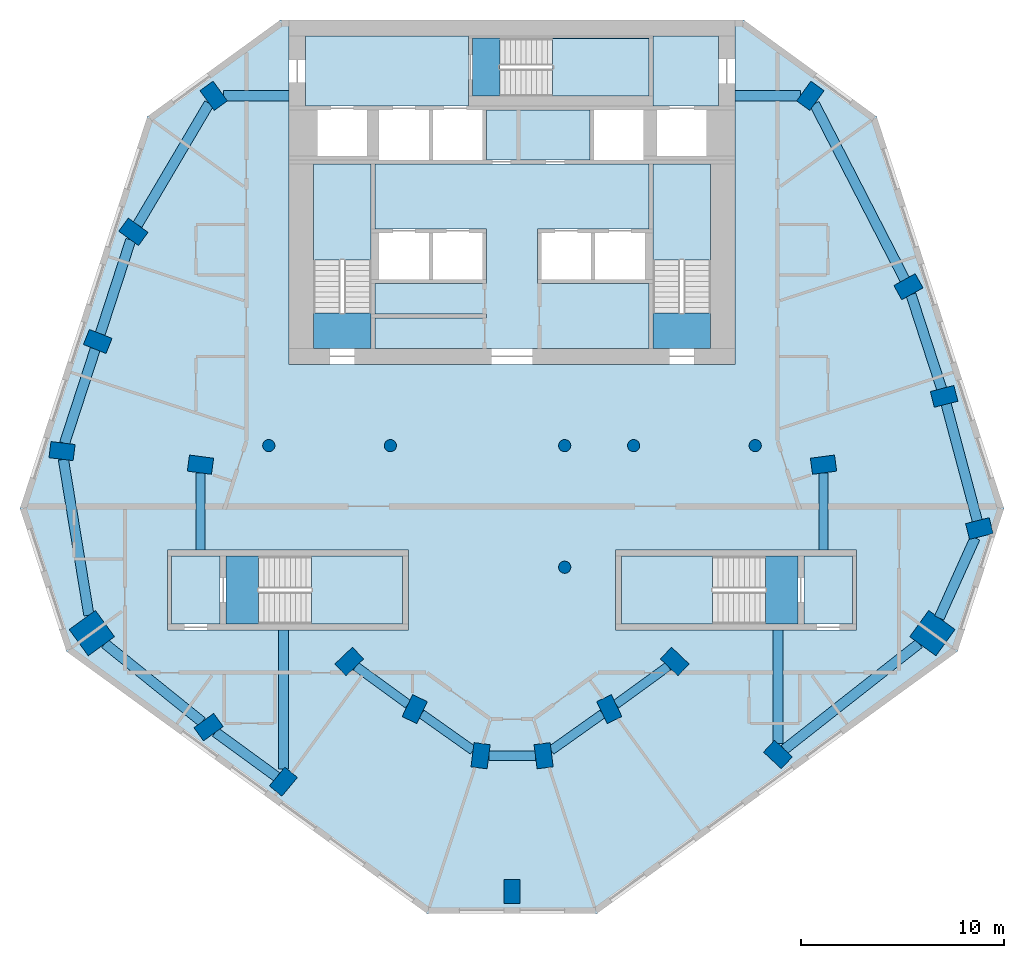
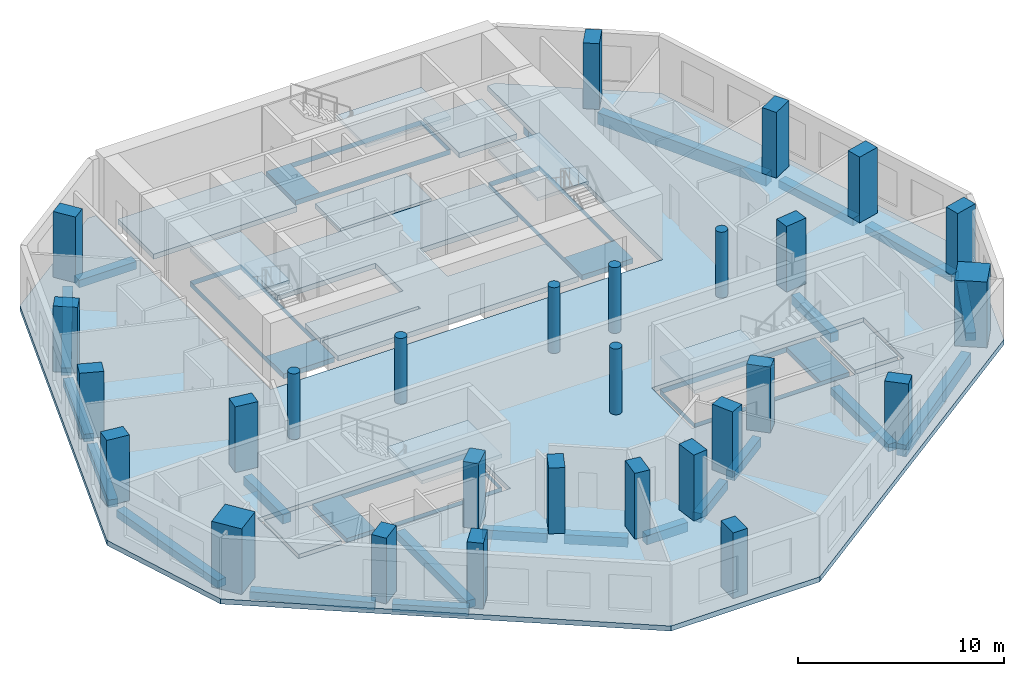
# One storey, part 1 of 9: 28 columns, 22 beams, 17 slabs, 5 elements without a shape of their own.
"""IFC4 building model written with IfcOpenShell, lengths in metres."""

from ifc_helpers import new_model, si_unit, direction, frame, origin, origin_2d, place, context, subcontext, project, spatial, polyline, rectangle, circle, outline, extrude, material, layer, layer_set, material_profile, profile_set, type_object, element, aggregate, save


model = new_model("IFC4")

# Units and contexts
model_context = context("Model", 3, precision=1e-05, world=origin(), true_north=direction((0.0, 1.0)))
body_context = subcontext(model_context, "Body", "Model", "MODEL_VIEW")
ifc_project = project(units=[si_unit("LENGTHUNIT", "METRE"), si_unit("AREAUNIT", "SQUARE_METRE"), si_unit("VOLUMEUNIT", "CUBIC_METRE"), si_unit("PLANEANGLEUNIT", "RADIAN"), si_unit("MASSUNIT", "GRAM", prefix="KILO")], contexts=[model_context])

# Site, building, storey
site_placement = place(None, origin())
site = spatial("IfcSite", under=ifc_project, at=site_placement, CompositionType="ELEMENT")
building_placement = place(site_placement, origin())
building = spatial("IfcBuilding", under=site, at=building_placement, Name="White Candle Pilgrim Tower", CompositionType="ELEMENT")
storey_placement = place(building_placement, frame((0.0, 0.0, 239.39990234375)))
storey = spatial("IfcBuildingStorey", under=building, at=storey_placement, Name="L56", CompositionType="ELEMENT", Elevation=239.39990234375)

# Columns
ifc_material_1 = material(Name="Concrete C70/85", Category="concrete")
ifc_material_profile_1 = material_profile(ifc_material_1, circle(Radius=0.300048828125, at=origin_2d()), Name="RC-COL D600")
ifc_profile_set_1 = profile_set([ifc_material_profile_1], Name="Concrete C70/85")
column_type_1 = type_object("IfcColumnType", Name="Interior column RC-COL D600 C70/85", PredefinedType="COLUMN", material=ifc_profile_set_1)
for number, where, z_axis, x_axis, name in (
    (1, (58.0, 67.0, 0.0), (0.0, 0.0, 1.0), (1.0, 0.0, 0.0), "L56 column I01"),
    (2, (64.0, 67.0, 0.0), (0.0, 0.0, 1.0), (1.0, 0.0, 0.0), "L56 column I02"),
    (3, (72.60009765625, 61.0, 0.0), (0.0, 0.0, 1.0), (1.0, 0.0, 0.0), "L56 column I03"),
    (4, (72.60009765625, 67.0, 0.0), (0.0, 0.0, 1.0), (1.0, 0.0, 0.0), "L56 column I04"),
    (5, (76.0, 67.0, 0.0), (0.0, 0.0, 1.0), (1.0, 0.0, 0.0), "L56 column I05"),
    (6, (82.0, 67.0, 0.0), (0.0, 0.0, 1.0), (1.0, 0.0, 0.0), "L56 column I06"),
):
    element("IfcColumn", number, at=place(storey_placement, frame(where, z_axis=z_axis, x_axis=x_axis)), inside=storey, type_object=column_type_1, Name=name, PredefinedType="COLUMN", context=body_context, shape_type="SweptSolid", body=[
        extrude(circle(Radius=0.300048828125, at=origin_2d()), origin(), (0.0, 0.0, 1.0), 3.900146484375),
    ])
ifc_material_profile_2 = material_profile(ifc_material_1, rectangle(XDim=1.60009765625, YDim=1.60009765625, at=origin_2d()), Name="RC 1600x1600")
ifc_profile_set_2 = profile_set([ifc_material_profile_2], Name="Concrete C70/85")
column_type_2 = type_object("IfcColumnType", Name="Mega column RC 1600x1600 C70/85", PredefinedType="COLUMN", material=ifc_profile_set_2)
for number, where, z_axis, x_axis, name in (
    (7, (49.27001953125, 57.75, 0.0), (0.0, 0.0, 1.0), (-0.809016994375, -0.587785252292, 0.0), "L56 mega column T01"),
    (8, (90.739990234375, 57.75, 0.0), (0.0, 0.0, 1.0), (0.809016994375, -0.587785252292, 0.0), "L56 mega column T06"),
):
    element("IfcColumn", number, at=place(storey_placement, frame(where, z_axis=z_axis, x_axis=x_axis)), inside=storey, type_object=column_type_2, Name=name, PredefinedType="COLUMN", context=body_context, shape_type="SweptSolid", body=[
        extrude(rectangle(XDim=1.60009765625, YDim=1.60009765625, at=origin_2d()), origin(), (0.0, 0.0, 1.0), 3.900146484375),
    ])
ifc_material_profile_3 = material_profile(ifc_material_1, rectangle(XDim=0.800048828125, YDim=1.199951171875, at=origin_2d()), Name="RC-PR 800x1200")
ifc_profile_set_3 = profile_set([ifc_material_profile_3], Name="Concrete C70/85")
column_type_3 = type_object("IfcColumnType", Name="Perimeter column RC-PR 800x1200 C70/85", PredefinedType="COLUMN", material=ifc_profile_set_3)
for number, where, z_axis, x_axis, name in (
    (9, (55.030029296875, 53.110107421875, 0.0), (0.0, 0.0, 1.0), (-0.58846280644, 0.808524288711, 0.0), "L56 column T02"),
    (10, (58.719970703125, 50.419921875, 0.0), (0.0, 0.0, 1.0), (-0.769310358735, 0.638875239733, 0.0), "L56 column T03"),
    (11, (70.0, 45.0, 0.0), (0.0, 0.0, 1.0), (-1.0, 0.0, 0.0), "L56 column T04"),
    (12, (83.1201171875, 51.760009765625, 0.0), (0.0, 0.0, 1.0), (-0.681998360062, -0.731353701619, 0.0), "L56 column T05"),
    (13, (93.06005859375, 62.909912109375, 0.0), (0.0, 0.0, 1.0), (0.246880623275, -0.969045900797, 0.0), "L56 column T07"),
    (14, (91.320068359375, 69.429931640625, 0.0), (0.0, 0.0, 1.0), (0.246880623275, -0.969045900797, 0.0), "L56 column T08"),
    (15, (89.56005859375, 74.840087890625, 0.0), (0.0, 0.0, 1.0), (0.484809620246, -0.874619707139, 0.0), "L56 column T09"),
    (16, (84.719970703125, 84.260009765625, 0.0), (0.0, 0.0, 1.0), (0.80902725304, -0.587771132193, 0.0), "L56 column T10"),
    (17, (55.280029296875, 84.260009765625, 0.0), (0.0, 0.0, 1.0), (0.80902725304, 0.587771132193, 0.0), "L56 column T11"),
    (18, (51.320068359375, 77.550048828125, 0.0), (0.0, 0.0, 1.0), (0.587107285614, 0.809509132239, 0.0), "L56 column T12"),
    (19, (49.56005859375, 72.139892578125, 0.0), (0.0, 0.0, 1.0), (0.369860269472, 0.929087391512, 0.0), "L56 column T13"),
    (20, (47.800048828125, 66.72998046875, 0.0), (0.0, 0.0, 1.0), (0.121869343405, 0.992546151641, 0.0), "L56 column T14"),
):
    element("IfcColumn", number, at=place(storey_placement, frame(where, z_axis=z_axis, x_axis=x_axis)), inside=storey, type_object=column_type_3, Name=name, PredefinedType="COLUMN", context=body_context, shape_type="SweptSolid", body=[
        extrude(rectangle(XDim=0.800048828125, YDim=1.199951171875, at=origin_2d()), origin(), (0.0, 0.0, 1.0), 3.900146484375),
    ])
ifc_material_profile_4 = material_profile(ifc_material_1, rectangle(XDim=0.800048828125, YDim=1.199951171875, at=origin_2d()), Name="RC-PR 800x1200")
ifc_profile_set_4 = profile_set([ifc_material_profile_4], Name="Concrete C70/85")
column_type_4 = type_object("IfcColumnType", Name="Ring column RC-PR 800x1200 C70/85", PredefinedType="COLUMN", material=ifc_profile_set_4)
for number, where, z_axis, x_axis, name in (
    (21, (61.969970703125, 56.35009765625, 0.0), (0.0, 0.0, 1.0), (-0.689872285383, 0.723931094691, 0.0), "L56 column R01"),
    (22, (65.199951171875, 54.0, 0.0), (0.0, 0.0, 1.0), (-0.901689191761, 0.43238478403, 0.0), "L56 column R02"),
    (23, (68.449951171875, 51.699951171875, 0.0), (0.0, 0.0, 1.0), (-0.992092811428, 0.125506388335, 0.0), "L56 column R03"),
    (24, (71.56005859375, 51.699951171875, 0.0), (0.0, 0.0, 1.0), (-0.992092811428, -0.125506388335, 0.0), "L56 column R04"),
    (25, (74.800048828125, 54.0, 0.0), (0.0, 0.0, 1.0), (-0.901689191761, -0.43238478403, 0.0), "L56 column R05"),
    (26, (78.030029296875, 56.35009765625, 0.0), (0.0, 0.0, 1.0), (-0.689872285383, -0.723931094691, 0.0), "L56 column R06"),
    (27, (85.3701171875, 66.06005859375, 0.0), (0.0, 0.0, 1.0), (0.132602381688, -0.991169313675, 0.0), "L56 column R07"),
    (28, (54.6298828125, 66.06005859375, 0.0), (0.0, 0.0, 1.0), (0.132602381688, 0.991169313675, 0.0), "L56 column R08"),
):
    element("IfcColumn", number, at=place(storey_placement, frame(where, z_axis=z_axis, x_axis=x_axis)), inside=storey, type_object=column_type_4, Name=name, PredefinedType="COLUMN", context=body_context, shape_type="SweptSolid", body=[
        extrude(rectangle(XDim=0.800048828125, YDim=1.199951171875, at=origin_2d()), origin(), (0.0, 0.0, 1.0), 3.900146484375),
    ])

# Beams
ifc_material_2 = material(Name="Concrete C50/60", Category="concrete")
ifc_material_profile_5 = material_profile(ifc_material_2, rectangle(XDim=0.449951171875, YDim=0.550048828125, at=origin_2d()), Name="RC-BM 450x550")
ifc_profile_set_5 = profile_set([ifc_material_profile_5], Name="Concrete C50/60")
beam_type_1 = type_object("IfcBeamType", Name="Ring beam RC-BM 450x550 C50/60", PredefinedType="BEAM", material=ifc_profile_set_5)
beam_1_placement = place(storey_placement, frame((62.298828125, 56.11083984375, -0.574951171875), z_axis=(0.808609951168, -0.588345091653, 0.0), x_axis=(0.588345091653, 0.808609951168, 0.0)))
element("IfcBeam", 29, at=beam_1_placement, inside=storey, type_object=beam_type_1, Name="L56 ring beam R01", PredefinedType="BEAM", context=body_context, shape_type="SweptSolid", body=[
    extrude(rectangle(XDim=0.449951171875, YDim=0.550048828125, at=origin_2d()), origin(), (0.0, 0.0, 1.0), 3.18115234375),
])
beam_2_placement = place(storey_placement, frame((65.53125, 53.765625, -0.574951171875), z_axis=(0.816256463166, -0.577689697277, 0.0), x_axis=(0.577689697277, 0.816256463166, 0.0)))
element("IfcBeam", 30, at=beam_2_placement, inside=storey, type_object=beam_type_1, Name="L56 ring beam R02", PredefinedType="BEAM", context=body_context, shape_type="SweptSolid", body=[
    extrude(rectangle(XDim=0.449951171875, YDim=0.550048828125, at=origin_2d()), origin(), (0.0, 0.0, 1.0), 3.122314453125),
])
beam_3_placement = place(storey_placement, frame((68.853271484375, 51.699951171875, -0.574951171875), z_axis=(1.0, 0.0, 0.0), x_axis=(0.0, 1.0, 0.0)))
element("IfcBeam", 31, at=beam_3_placement, inside=storey, type_object=beam_type_1, Name="L56 ring beam R03", PredefinedType="BEAM", context=body_context, shape_type="SweptSolid", body=[
    extrude(rectangle(XDim=0.449951171875, YDim=0.550048828125, at=origin_2d()), origin(), (0.0, 0.0, 1.0), 2.303466796875),
])
beam_4_placement = place(storey_placement, frame((71.929931640625, 51.962646484375, -0.574951171875), z_axis=(0.815419993855, 0.578869789868, 0.0), x_axis=(-0.578869789868, 0.815419993855, 0.0)))
element("IfcBeam", 32, at=beam_4_placement, inside=storey, type_object=beam_type_1, Name="L56 ring beam R04", PredefinedType="BEAM", context=body_context, shape_type="SweptSolid", body=[
    extrude(rectangle(XDim=0.449951171875, YDim=0.550048828125, at=origin_2d()), origin(), (0.0, 0.0, 1.0), 3.11376953125),
])
beam_5_placement = place(storey_placement, frame((75.12890625, 54.2392578125, -0.574951171875), z_axis=(0.808609951168, 0.588345091653, 0.0), x_axis=(-0.588345091653, 0.808609951168, 0.0)))
element("IfcBeam", 33, at=beam_5_placement, inside=storey, type_object=beam_type_1, Name="L56 ring beam R05", PredefinedType="BEAM", context=body_context, shape_type="SweptSolid", body=[
    extrude(rectangle(XDim=0.449951171875, YDim=0.550048828125, at=origin_2d()), origin(), (0.0, 0.0, 1.0), 3.18115234375),
])
for number, where, z_axis, x_axis, name in (
    (34, (85.3701171875, 65.656494140625, -0.574951171875), (0.0, -1.0, 0.0), (1.0, 0.0, 0.0), "L56 ring beam R06"),
    (35, (54.6298828125, 65.656494140625, -0.574951171875), (0.0, -1.0, 0.0), (1.0, 0.0, 0.0), "L56 ring beam R07"),
):
    element("IfcBeam", number, at=place(storey_placement, frame(where, z_axis=z_axis, x_axis=x_axis)), inside=storey, type_object=beam_type_1, Name=name, PredefinedType="BEAM", context=body_context, shape_type="SweptSolid", body=[
        extrude(rectangle(XDim=0.449951171875, YDim=0.550048828125, at=origin_2d()), origin(), (0.0, 0.0, 1.0), 3.806396484375),
    ])
ifc_material_profile_6 = material_profile(ifc_material_2, rectangle(XDim=0.5, YDim=0.449951171875, at=origin_2d()), Name="RC-BM 500x450")
ifc_profile_set_6 = profile_set([ifc_material_profile_6], Name="Concrete C50/60")
beam_type_2 = type_object("IfcBeamType", Name="Spandrel beam RC-BM 500x450 C50/60", PredefinedType="BEAM", material=ifc_profile_set_6)
beam_6_placement = place(storey_placement, frame((49.915283203125, 57.22998046875, -0.52490234375), z_axis=(0.778778136726, -0.62729946099, 0.0), x_axis=(0.62729946099, 0.778778136726, 0.0)))
element("IfcBeam", 36, at=beam_6_placement, inside=storey, type_object=beam_type_2, Name="L56 spandrel beam T01", PredefinedType="BEAM", context=body_context, shape_type="SweptSolid", body=[
    extrude(rectangle(XDim=0.5, YDim=0.449951171875, at=origin_2d()), origin(), (0.0, 0.0, 1.0), 6.153564453125),
])
beam_7_placement = place(storey_placement, frame((55.36962890625, 52.8623046875, -0.52490234375), z_axis=(0.808061834145, -0.58909767628, 0.0), x_axis=(0.58909767628, 0.808061834145, 0.0)))
element("IfcBeam", 37, at=beam_7_placement, inside=storey, type_object=beam_type_2, Name="L56 spandrel beam T02", PredefinedType="BEAM", context=body_context, shape_type="SweptSolid", body=[
    extrude(rectangle(XDim=0.5, YDim=0.449951171875, at=origin_2d()), origin(), (0.0, 0.0, 1.0), 3.7451171875),
])
beam_8_placement = place(storey_placement, frame((58.719970703125, 51.046142578125, -0.52490234375), z_axis=(0.0, 1.0, 0.0), x_axis=(-1.0, 0.0, 0.0)))
element("IfcBeam", 38, at=beam_8_placement, inside=storey, type_object=beam_type_2, Name="L56 spandrel beam T03", PredefinedType="BEAM", context=body_context, shape_type="SweptSolid", body=[
    extrude(rectangle(XDim=0.5, YDim=0.449951171875, at=origin_2d()), origin(), (0.0, 0.0, 1.0), 6.853759765625),
])
beam_9_placement = place(storey_placement, frame((83.1201171875, 52.306884765625, -0.52490234375), z_axis=(0.0, 1.0, 0.0), x_axis=(-1.0, 0.0, 0.0)))
element("IfcBeam", 39, at=beam_9_placement, inside=storey, type_object=beam_type_2, Name="L56 spandrel beam T04", PredefinedType="BEAM", context=body_context, shape_type="SweptSolid", body=[
    extrude(rectangle(XDim=0.5, YDim=0.449951171875, at=origin_2d()), origin(), (0.0, 0.0, 1.0), 5.593017578125),
])
beam_10_placement = place(storey_placement, frame((91.0751953125, 58.495361328125, -0.52490234375), z_axis=(0.410043403319, 0.912066010437, 0.0), x_axis=(-0.912066010437, 0.410043403319, 0.0)))
element("IfcBeam", 40, at=beam_10_placement, inside=storey, type_object=beam_type_2, Name="L56 spandrel beam T06", PredefinedType="BEAM", context=body_context, shape_type="SweptSolid", body=[
    extrude(rectangle(XDim=0.5, YDim=0.449951171875, at=origin_2d()), origin(), (0.0, 0.0, 1.0), 4.3291015625),
])
beam_11_placement = place(storey_placement, frame((92.956787109375, 63.29638671875, -0.52490234375), z_axis=(-0.257841470678, 0.966187236512, 0.0), x_axis=(-0.966187236512, -0.257841470678, 0.0)))
element("IfcBeam", 41, at=beam_11_placement, inside=storey, type_object=beam_type_2, Name="L56 spandrel beam T07", PredefinedType="BEAM", context=body_context, shape_type="SweptSolid", body=[
    extrude(rectangle(XDim=0.5, YDim=0.449951171875, at=origin_2d()), origin(), (0.0, 0.0, 1.0), 5.9482421875),
])
beam_12_placement = place(storey_placement, frame((91.196044921875, 69.811279296875, -0.52490234375), z_axis=(-0.309391453236, 0.950934765725, 0.0), x_axis=(-0.950934765725, -0.309391453236, 0.0)))
element("IfcBeam", 42, at=beam_12_placement, inside=storey, type_object=beam_type_2, Name="L56 spandrel beam T08", PredefinedType="BEAM", context=body_context, shape_type="SweptSolid", body=[
    extrude(rectangle(XDim=0.5, YDim=0.449951171875, at=origin_2d()), origin(), (0.0, 0.0, 1.0), 4.880615234375),
])
for number, where, z_axis, x_axis, name in (
    (43, (84.2255859375, 84.260009765625, -0.52490234375), (-1.0, 0.0, 0.0), (0.0, -1.0, 0.0), "L56 spandrel beam T10"),
    (44, (55.7744140625, 84.260009765625, -0.52490234375), (1.0, 0.0, 0.0), (0.0, 1.0, 0.0), "L56 spandrel beam T11"),
):
    element("IfcBeam", number, at=place(storey_placement, frame(where, z_axis=z_axis, x_axis=x_axis)), inside=storey, type_object=beam_type_2, Name=name, PredefinedType="BEAM", context=body_context, shape_type="SweptSolid", body=[
        extrude(rectangle(XDim=0.5, YDim=0.449951171875, at=origin_2d()), origin(), (0.0, 0.0, 1.0), 3.2255859375),
    ])
beam_13_placement = place(storey_placement, frame((55.058349609375, 83.884521484375, -0.52490234375), z_axis=(-0.508250169427, -0.861209478163, 0.0), x_axis=(0.861209478163, -0.508250169427, 0.0)))
element("IfcBeam", 45, at=beam_13_placement, inside=storey, type_object=beam_type_2, Name="L56 spandrel beam T12", PredefinedType="BEAM", context=body_context, shape_type="SweptSolid", body=[
    extrude(rectangle(XDim=0.5, YDim=0.449951171875, at=origin_2d()), origin(), (0.0, 0.0, 1.0), 6.95361328125),
])
beam_14_placement = place(storey_placement, frame((51.18994140625, 77.150146484375, -0.52490234375), z_axis=(-0.30935824251, -0.950945570362, 0.0), x_axis=(0.950945570362, -0.30935824251, 0.0)))
element("IfcBeam", 46, at=beam_14_placement, inside=storey, type_object=beam_type_2, Name="L56 spandrel beam T13", PredefinedType="BEAM", context=body_context, shape_type="SweptSolid", body=[
    extrude(rectangle(XDim=0.5, YDim=0.449951171875, at=origin_2d()), origin(), (0.0, 0.0, 1.0), 4.86767578125),
])
beam_15_placement = place(storey_placement, frame((49.43603515625, 71.7587890625, -0.52490234375), z_axis=(-0.309376736615, -0.950939553726, 0.0), x_axis=(0.950939553726, -0.309376736615, 0.0)))
element("IfcBeam", 47, at=beam_15_placement, inside=storey, type_object=beam_type_2, Name="L56 spandrel beam T14", PredefinedType="BEAM", context=body_context, shape_type="SweptSolid", body=[
    extrude(rectangle(XDim=0.5, YDim=0.449951171875, at=origin_2d()), origin(), (0.0, 0.0, 1.0), 4.880859375),
])
beam_16_placement = place(storey_placement, frame((47.8671875, 66.318603515625, -0.52490234375), z_axis=(0.161556298314, -0.986863497387, 0.0), x_axis=(0.986863497387, 0.161556298314, 0.0)))
element("IfcBeam", 48, at=beam_16_placement, inside=storey, type_object=beam_type_2, Name="L56 spandrel beam T15", PredefinedType="BEAM", context=body_context, shape_type="SweptSolid", body=[
    extrude(rectangle(XDim=0.5, YDim=0.449951171875, at=origin_2d()), origin(), (0.0, 0.0, 1.0), 7.787109375),
])
ifc_material_profile_7 = material_profile(ifc_material_2, rectangle(XDim=0.5, YDim=0.699951171875, at=origin_2d()), Name="RC-BM 500x700")
ifc_profile_set_7 = profile_set([ifc_material_profile_7], Name="Concrete C50/60")
beam_type_3 = type_object("IfcBeamType", Name="Spandrel beam RC-BM 500x700 C50/60", PredefinedType="BEAM", material=ifc_profile_set_7)
beam_17_placement = place(storey_placement, frame((83.438232421875, 52.01025390625, -0.64990234375), z_axis=(0.786178058268, 0.618000049109, 0.0), x_axis=(-0.618000049109, 0.786178058268, 0.0)))
element("IfcBeam", 49, at=beam_17_placement, inside=storey, type_object=beam_type_3, Name="L56 spandrel beam T05", PredefinedType="BEAM", context=body_context, shape_type="SweptSolid", body=[
    extrude(rectangle(XDim=0.5, YDim=0.699951171875, at=origin_2d()), origin(), (0.0, 0.0, 1.0), 8.4560546875),
])
beam_18_placement = place(storey_placement, frame((89.377197265625, 75.196044921875, -0.64990234375), z_axis=(-0.457020130081, 0.889456351206, 0.0), x_axis=(-0.889456351206, -0.457020130081, 0.0)))
element("IfcBeam", 50, at=beam_18_placement, inside=storey, type_object=beam_type_3, Name="L56 spandrel beam T09", PredefinedType="BEAM", context=body_context, shape_type="SweptSolid", body=[
    extrude(rectangle(XDim=0.5, YDim=0.699951171875, at=origin_2d()), origin(), (0.0, 0.0, 1.0), 9.7421875),
])

# Slabs
ifc_material_3 = material(Name="Concrete C40/50", Category="concrete")
ifc_layer_1 = layer(ifc_material_3, 0.300048828125)
ifc_layer_set_1 = layer_set([ifc_layer_1], Name="Core floor slab 300 mm Concrete C40/50")
slab_type_1 = type_object("IfcSlabType", Name="Core floor slab 300 mm Concrete C40/50", PredefinedType="FLOOR", material=ifc_layer_set_1)
slab_1_placement = place(storey_placement, frame((0.0, 0.0, -0.2998046875)))
element("IfcSlab", 51, at=slab_1_placement, inside=storey, type_object=slab_type_1, Name="CF-L56-01", PredefinedType="FLOOR", context=body_context, shape_type="SweptSolid", body=[
    extrude(outline(polyline([(55.60009765625, 58.199951171875), (53.199951171875, 58.199951171875), (53.199951171875, 61.550048828125), (55.60009765625, 61.550048828125), (55.60009765625, 58.199951171875)])), origin(), (0.0, 0.0, 1.0), 0.2998046875),
])
slab_2_placement = place(storey_placement, frame((0.0, 0.0, -0.2998046875)))
element("IfcSlab", 52, at=slab_2_placement, inside=storey, type_object=slab_type_1, Name="CF-L56-02", PredefinedType="FLOOR", context=body_context, shape_type="SweptSolid", body=[
    extrude(outline(polyline([(55.89990234375, 58.199951171875), (55.89990234375, 61.550048828125), (64.60009765625, 61.550048828125), (64.60009765625, 58.199951171875), (55.89990234375, 58.199951171875)]), holes=[polyline([(57.501953125, 61.548095703125), (57.501953125, 58.201904296875), (64.597900390625, 58.201904296875), (64.597900390625, 61.548095703125), (57.501953125, 61.548095703125)])]), origin(), (0.0, 0.0, 1.0), 0.2998046875),
])
slab_3_placement = place(storey_placement, frame((0.0, 0.0, -0.2998046875)))
element("IfcSlab", 53, at=slab_3_placement, inside=storey, type_object=slab_type_1, Name="CF-L56-03", PredefinedType="FLOOR", context=body_context, shape_type="SweptSolid", body=[
    extrude(outline(polyline([(75.39990234375, 58.199951171875), (75.39990234375, 61.550048828125), (84.10009765625, 61.550048828125), (84.10009765625, 58.199951171875), (75.39990234375, 58.199951171875)]), holes=[polyline([(82.498046875, 58.201904296875), (82.498046875, 61.548095703125), (75.402099609375, 61.548095703125), (75.402099609375, 58.201904296875), (82.498046875, 58.201904296875)])]), origin(), (0.0, 0.0, 1.0), 0.2998046875),
])
slab_4_placement = place(storey_placement, frame((0.0, 0.0, -0.2998046875)))
element("IfcSlab", 54, at=slab_4_placement, inside=storey, type_object=slab_type_1, Name="CF-L56-04", PredefinedType="FLOOR", context=body_context, shape_type="SweptSolid", body=[
    extrude(outline(polyline([(86.800048828125, 58.199951171875), (84.39990234375, 58.199951171875), (84.39990234375, 61.550048828125), (86.800048828125, 61.550048828125), (86.800048828125, 58.199951171875)])), origin(), (0.0, 0.0, 1.0), 0.2998046875),
])
slab_5_placement = place(storey_placement, frame((0.0, 0.0, -0.2998046875)))
element("IfcSlab", 55, at=slab_5_placement, inside=storey, type_object=slab_type_1, Name="CF-L56-05", PredefinedType="FLOOR", context=body_context, shape_type="SweptSolid", body=[
    extrude(outline(polyline([(76.949951171875, 71.800048828125), (76.949951171875, 75.0), (76.949951171875, 75.199951171875), (76.949951171875, 77.5), (76.949951171875, 77.699951171875), (76.949951171875, 80.89990234375), (79.800048828125, 80.89990234375), (79.800048828125, 71.800048828125), (76.949951171875, 71.800048828125)]), holes=[polyline([(76.951904296875, 73.552001953125), (79.798095703125, 73.552001953125), (79.798095703125, 80.89794921875), (76.951904296875, 80.89794921875), (76.951904296875, 73.552001953125)])]), origin(), (0.0, 0.0, 1.0), 0.2998046875),
])
slab_6_placement = place(storey_placement, frame((0.0, 0.0, -0.2998046875)))
element("IfcSlab", 56, at=slab_6_placement, inside=storey, type_object=slab_type_1, Name="CF-L56-06", PredefinedType="FLOOR", context=body_context, shape_type="SweptSolid", body=[
    extrude(outline(polyline([(63.25, 71.800048828125), (63.25, 73.300048828125), (68.75, 73.300048828125), (68.75, 73.5), (63.25, 73.5), (63.25, 75.0), (68.75, 75.0), (68.75, 75.199951171875), (68.75, 77.5), (68.75, 77.699951171875), (63.25, 77.699951171875), (63.25, 80.89990234375), (76.75, 80.89990234375), (76.75, 77.699951171875), (71.25, 77.699951171875), (71.25, 77.5), (71.25, 75.199951171875), (71.25, 75.0), (76.75, 75.0), (76.75, 71.800048828125), (63.25, 71.800048828125)])), origin(), (0.0, 0.0, 1.0), 0.2998046875),
])
slab_7_placement = place(storey_placement, frame((0.0, 0.0, -0.2998046875)))
element("IfcSlab", 57, at=slab_7_placement, inside=storey, type_object=slab_type_1, Name="CF-L56-07", PredefinedType="FLOOR", context=body_context, shape_type="SweptSolid", body=[
    extrude(outline(polyline([(60.199951171875, 71.800048828125), (60.199951171875, 80.89990234375), (63.050048828125, 80.89990234375), (63.050048828125, 77.699951171875), (63.050048828125, 77.5), (63.050048828125, 75.199951171875), (63.050048828125, 75.0), (63.050048828125, 73.5), (63.050048828125, 73.300048828125), (63.050048828125, 71.800048828125), (60.199951171875, 71.800048828125)]), holes=[polyline([(60.201904296875, 73.552001953125), (63.048095703125, 73.552001953125), (63.048095703125, 80.89794921875), (60.201904296875, 80.89794921875), (60.201904296875, 73.552001953125)])]), origin(), (0.0, 0.0, 1.0), 0.2998046875),
])
slab_8_placement = place(storey_placement, frame((0.0, 0.0, -0.2998046875)))
element("IfcSlab", 58, at=slab_8_placement, inside=storey, type_object=slab_type_1, Name="CF-L56-08", PredefinedType="FLOOR", context=body_context, shape_type="SweptSolid", body=[
    extrude(outline(polyline([(59.800048828125, 87.199951171875), (67.85009765625, 87.199951171875), (67.85009765625, 87.10009765625), (67.85009765625, 84.25), (67.85009765625, 83.75), (59.800048828125, 83.75), (59.800048828125, 87.199951171875)])), origin(), (0.0, 0.0, 1.0), 0.2998046875),
])
slab_9_placement = place(storey_placement, frame((0.0, 0.0, -0.2998046875)))
element("IfcSlab", 59, at=slab_9_placement, inside=storey, type_object=slab_type_1, Name="CF-L56-09", PredefinedType="FLOOR", context=body_context, shape_type="SweptSolid", body=[
    extrude(outline(polyline([(80.199951171875, 87.199951171875), (80.199951171875, 83.75), (76.949951171875, 83.75), (76.949951171875, 84.25), (76.949951171875, 87.10009765625), (76.949951171875, 87.199951171875), (80.199951171875, 87.199951171875)])), origin(), (0.0, 0.0, 1.0), 0.2998046875),
])
slab_10_placement = place(storey_placement, frame((0.0, 0.0, -0.2998046875)))
element("IfcSlab", 60, at=slab_10_placement, inside=storey, type_object=slab_type_1, Name="CF-L56-10", PredefinedType="FLOOR", context=body_context, shape_type="SweptSolid", body=[
    extrude(outline(polyline([(68.050048828125, 87.10009765625), (76.75, 87.10009765625), (76.75, 84.25), (68.050048828125, 84.25), (68.050048828125, 87.10009765625)]), holes=[polyline([(69.402099609375, 87.097900390625), (69.402099609375, 84.251953125), (76.748046875, 84.251953125), (76.748046875, 87.097900390625), (69.402099609375, 87.097900390625)])]), origin(), (0.0, 0.0, 1.0), 0.2998046875),
])
slab_11_placement = place(storey_placement, frame((0.0, 0.0, -0.2998046875)))
element("IfcSlab", 61, at=slab_11_placement, inside=storey, type_object=slab_type_1, Name="CF-L56-11", PredefinedType="FLOOR", context=body_context, shape_type="SweptSolid", body=[
    extrude(outline(polyline([(73.85009765625, 83.550048828125), (73.85009765625, 81.10009765625), (68.75, 81.10009765625), (68.75, 83.550048828125), (73.85009765625, 83.550048828125)])), origin(), (0.0, 0.0, 1.0), 0.2998046875),
])
ifc_layer_2 = layer(ifc_material_3, 0.300048828125)
ifc_layer_set_2 = layer_set([ifc_layer_2], Name="Floor slab 300 REI 120")
slab_type_2 = type_object("IfcSlabType", Name="Floor slab 300 REI 120", PredefinedType="FLOOR", material=ifc_layer_set_2)
slab_12_placement = place(storey_placement, frame((0.0, 0.0, -0.2998046875)))
element("IfcSlab", 62, at=slab_12_placement, inside=storey, type_object=slab_type_2, Name="L56 floor slab", PredefinedType="FLOOR", context=body_context, shape_type="SweptSolid", body=[
    extrude(outline(polyline([(65.82421875, 43.904296875), (74.17578125, 43.904296875), (91.980712890625, 56.84033203125), (94.274658203125, 63.900390625), (87.991455078125, 83.23779296875), (81.43701171875, 88.0), (81.0, 88.0), (81.0, 71.0), (59.0, 71.0), (59.0, 88.0), (58.56298828125, 88.0), (52.008544921875, 83.23779296875), (45.725341796875, 63.900390625), (48.019287109375, 56.84033203125), (65.82421875, 43.904296875)]), holes=[polyline([(53.0, 57.89990234375), (53.0, 61.85009765625), (64.89990234375, 61.85009765625), (64.89990234375, 57.89990234375), (53.0, 57.89990234375)]), polyline([(75.10009765625, 57.89990234375), (75.10009765625, 61.85009765625), (87.0, 61.85009765625), (87.0, 57.89990234375), (75.10009765625, 57.89990234375)])]), origin(), (0.0, 0.0, 1.0), 0.2998046875),
])

# Stair, slab
stair_type_1 = type_object("IfcStairType", Name="Exit stair 1 flight width 1350 mm", PredefinedType="HALF_TURN_STAIR", material=ifc_material_3)
stair_1_placement = place(storey_placement, origin())
stair_1 = element("IfcStair", 63, at=stair_1_placement, inside=storey, type_object=stair_type_1, Name="L56 stair 1", PredefinedType="NOTDEFINED")
ifc_layer_3 = layer(ifc_material_3, 0.199951171875)
ifc_layer_set_3 = layer_set([ifc_layer_3], Name="Stair landing Concrete C40/50")
slab_type_3 = type_object("IfcSlabType", Name="Stair landing Concrete C40/50", PredefinedType="LANDING", material=ifc_layer_set_3)
slab_13_placement = place(storey_placement, frame((0.0, 0.0, 1.75)))
slab_13 = element("IfcSlab", 64, at=slab_13_placement, type_object=slab_type_3, Name="ST1 landing 1", PredefinedType="LANDING", context=body_context, shape_type="SweptSolid", body=[
    extrude(outline(polyline([(63.052001953125, 76.14794921875), (60.197998046875, 76.14794921875), (60.197998046875, 80.902099609375), (63.052001953125, 80.902099609375), (63.052001953125, 76.14794921875)])), origin(), (0.0, 0.0, 1.0), 0.2001953125),
])
aggregate(stair_1, [slab_13])

stair_type_2 = type_object("IfcStairType", Name="Exit stair 2 flight width 1350 mm", PredefinedType="HALF_TURN_STAIR", material=ifc_material_3)
stair_2_placement = place(storey_placement, origin())
stair_2 = element("IfcStair", 65, at=stair_2_placement, inside=storey, type_object=stair_type_2, Name="L56 stair 2", PredefinedType="NOTDEFINED")
slab_14_placement = place(storey_placement, frame((0.0, 0.0, 1.75)))
slab_14 = element("IfcSlab", 66, at=slab_14_placement, type_object=slab_type_3, Name="ST2 landing 1", PredefinedType="LANDING", context=body_context, shape_type="SweptSolid", body=[
    extrude(outline(polyline([(79.802001953125, 76.14794921875), (76.947998046875, 76.14794921875), (76.947998046875, 80.902099609375), (79.802001953125, 80.902099609375), (79.802001953125, 76.14794921875)])), origin(), (0.0, 0.0, 1.0), 0.2001953125),
])
aggregate(stair_2, [slab_14])

stair_type_3 = type_object("IfcStairType", Name="Exit stair 3 flight width 1350 mm", PredefinedType="HALF_TURN_STAIR", material=ifc_material_3)
stair_3_placement = place(storey_placement, origin())
stair_3 = element("IfcStair", 67, at=stair_3_placement, inside=storey, type_object=stair_type_3, Name="L56 stair 3", PredefinedType="NOTDEFINED")
slab_15_placement = place(storey_placement, frame((0.0, 0.0, 1.75)))
slab_15 = element("IfcSlab", 68, at=slab_15_placement, type_object=slab_type_3, Name="ST3 landing 1", PredefinedType="LANDING", context=body_context, shape_type="SweptSolid", body=[
    extrude(outline(polyline([(71.998046875, 84.248046875), (71.998046875, 87.10205078125), (76.751953125, 87.10205078125), (76.751953125, 84.248046875), (71.998046875, 84.248046875)])), origin(), (0.0, 0.0, 1.0), 0.2001953125),
])
aggregate(stair_3, [slab_15])

stair_type_4 = type_object("IfcStairType", Name="Exit stair 4 flight width 1600 mm", PredefinedType="HALF_TURN_STAIR", material=ifc_material_3)
stair_4_placement = place(storey_placement, origin())
stair_4 = element("IfcStair", 69, at=stair_4_placement, inside=storey, type_object=stair_type_4, Name="L56 stair 4", PredefinedType="NOTDEFINED")
slab_16_placement = place(storey_placement, frame((0.0, 0.0, 1.75)))
slab_16 = element("IfcSlab", 70, at=slab_16_placement, type_object=slab_type_3, Name="ST4 landing 1", PredefinedType="LANDING", context=body_context, shape_type="SweptSolid", body=[
    extrude(outline(polyline([(79.902099609375, 61.552001953125), (79.902099609375, 58.197998046875), (75.39794921875, 58.197998046875), (75.39794921875, 61.552001953125), (79.902099609375, 61.552001953125)])), origin(), (0.0, 0.0, 1.0), 0.2001953125),
])
aggregate(stair_4, [slab_16])

stair_type_5 = type_object("IfcStairType", Name="Exit stair 5 flight width 1600 mm", PredefinedType="HALF_TURN_STAIR", material=ifc_material_3)
stair_5_placement = place(storey_placement, origin())
stair_5 = element("IfcStair", 71, at=stair_5_placement, inside=storey, type_object=stair_type_5, Name="L56 stair 5", PredefinedType="NOTDEFINED")
slab_17_placement = place(storey_placement, frame((0.0, 0.0, 1.75)))
slab_17 = element("IfcSlab", 72, at=slab_17_placement, type_object=slab_type_3, Name="ST5 landing 1", PredefinedType="LANDING", context=body_context, shape_type="SweptSolid", body=[
    extrude(outline(polyline([(60.097900390625, 58.197998046875), (60.097900390625, 61.552001953125), (64.60205078125, 61.552001953125), (64.60205078125, 58.197998046875), (60.097900390625, 58.197998046875)])), origin(), (0.0, 0.0, 1.0), 0.2001953125),
])
aggregate(stair_5, [slab_17])

save(model, "model.ifc")
